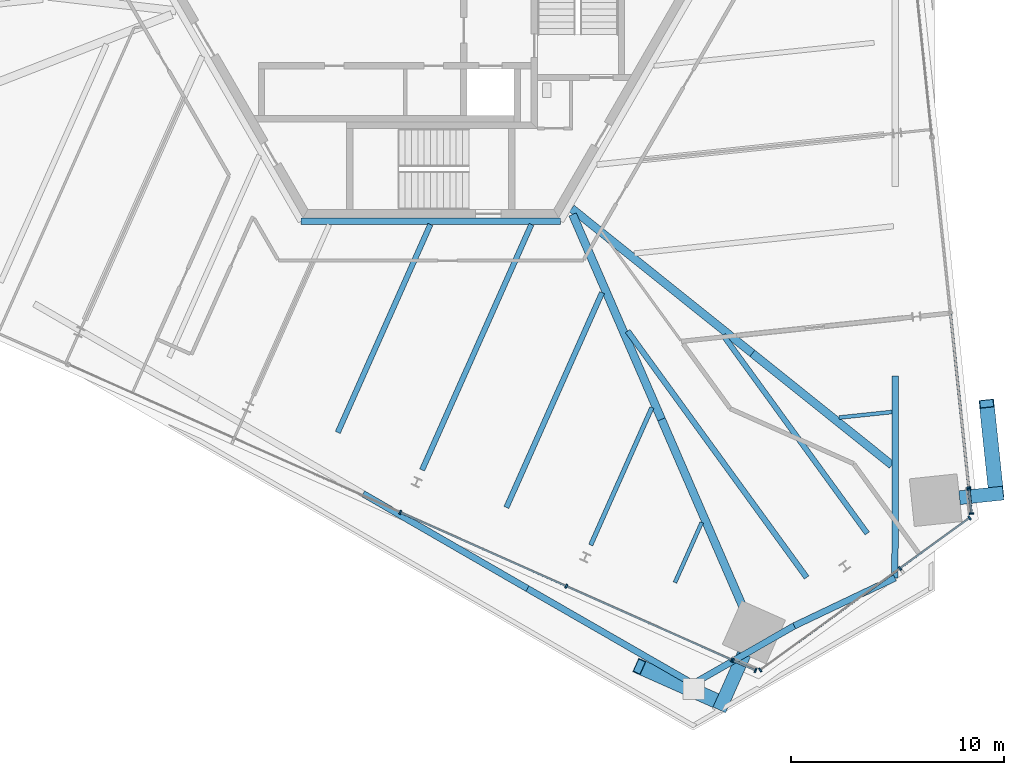
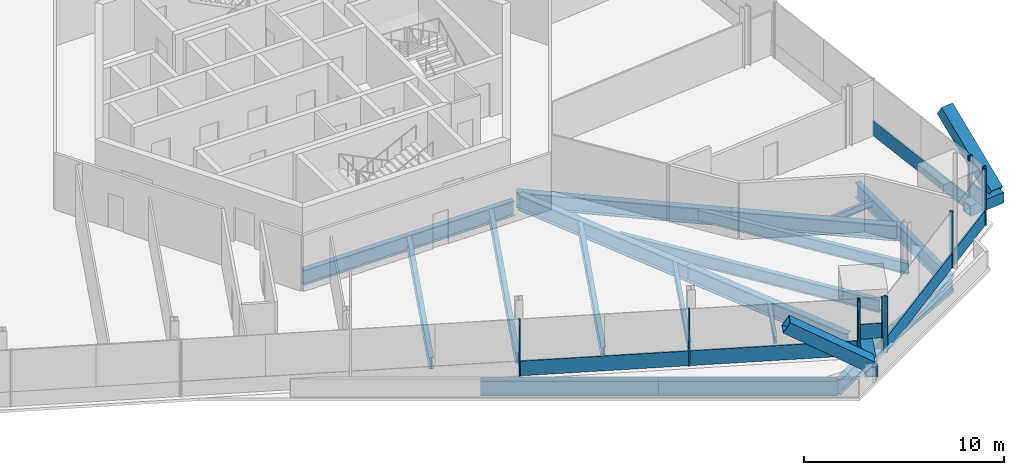
# One storey, part 4 of 24: 22 members, 18 beams, 5 elements without a shape of their own.
"""IFC4 building model written with IfcOpenShell, lengths in metres."""

from ifc_helpers import new_model, si_unit, direction, frame, origin, origin_2d, place, context, subcontext, project, spatial, rectangle, hollow_rectangle, i_section, extrude, source, transform, mapped, material, material_profile, profile_set, type_object, element, aggregate, save


model = new_model("IFC4")

# Units and contexts
model_context = context("Model", 3, precision=1e-05, world=origin(), true_north=direction((0.0, 1.0)))
body_context = subcontext(model_context, "Body", "Model", "MODEL_VIEW")
ifc_project = project(units=[si_unit("LENGTHUNIT", "METRE"), si_unit("AREAUNIT", "SQUARE_METRE"), si_unit("VOLUMEUNIT", "CUBIC_METRE"), si_unit("PLANEANGLEUNIT", "RADIAN"), si_unit("MASSUNIT", "GRAM", prefix="KILO")], contexts=[model_context])

# Site, building, storey
site_placement = place(None, origin())
site = spatial("IfcSite", under=ifc_project, at=site_placement, CompositionType="ELEMENT")
building_placement = place(site_placement, origin())
building = spatial("IfcBuilding", under=site, at=building_placement, Name="Triune Harvest Tower", CompositionType="ELEMENT")
storey_placement = place(building_placement, frame((0.0, 0.0, 58.5)))
storey = spatial("IfcBuildingStorey", under=building, at=storey_placement, Name="L13", CompositionType="ELEMENT", Elevation=58.5)

# Member
ifc_material_1 = material(Name="Steel ASTM A572 Gr 50", Category="steel")
ifc_material_profile_1 = material_profile(ifc_material_1, hollow_rectangle(XDim=0.699951171875, YDim=0.699951171875, WallThickness=0.0400390625, at=origin_2d()), Name="Box 700x700x40")
ifc_profile_set_1 = profile_set([ifc_material_profile_1], Name="Steel ASTM A572 Gr 50")
member_type_1 = type_object("IfcMemberType", Name="BR-1 Brace Box 700x700x40", PredefinedType="BRACE", material=ifc_profile_set_1)
member_1_placement = place(storey_placement, frame((13.67431640625, -33.177978515625, 0.889892578125), z_axis=(-0.770569193482, 0.343066598542, 0.53714842178), x_axis=(-0.406723869192, -0.913551144835, 0.0)))
element("IfcMember", 1, at=member_1_placement, inside=storey, type_object=member_type_1, Name="brace/B2-F5/d2/1", PredefinedType="BRACE", context=body_context, shape_type="SweptSolid", body=[
    extrude(hollow_rectangle(XDim=0.699951171875, YDim=0.699951171875, WallThickness=0.0400390625, at=origin_2d()), origin(), (0.0, 0.0, 1.0), 5.045654296875),
])

# Beams
ifc_material_2 = material(Name="Steel ASTM A992 Gr 50", Category="steel")
ifc_material_profile_2 = material_profile(ifc_material_2, i_section(OverallWidth=0.383544921875, OverallDepth=0.9423828125, WebThickness=0.022216796875, FlangeThickness=0.039794921875, at=origin_2d()), Name="W36x232")
ifc_profile_set_2 = profile_set([ifc_material_profile_2], Name="Steel ASTM A992 Gr 50")
beam_type_1 = type_object("IfcBeamType", Name="HG-1 Hip girder W36x232", PredefinedType="BEAM", material=ifc_profile_set_2)
beam_1_placement = place(storey_placement, frame((21.6396484375, -21.993896484375, -0.631103515625), z_axis=(-0.780346311422, 0.625347610734, 0.0), x_axis=(-0.625347610734, -0.780346311422, 0.0)))
element("IfcBeam", 2, at=beam_1_placement, inside=storey, type_object=beam_type_1, Name="beam/L13/HG1", PredefinedType="BEAM", context=body_context, shape_type="SweptSolid", body=[
    extrude(i_section(OverallWidth=0.383544921875, OverallDepth=0.9423828125, WebThickness=0.022216796875, FlangeThickness=0.039794921875, at=origin_2d()), origin(), (0.0, 0.0, 1.0), 8.39208984375),
])
beam_2_placement = place(storey_placement, frame((14.79296875, -28.99072265625, -0.631103515625), z_axis=(-0.398067843928, 0.917355978686, 0.0), x_axis=(-0.917355978686, -0.398067843928, 0.0)))
element("IfcBeam", 3, at=beam_2_placement, inside=storey, type_object=beam_type_1, Name="beam/L13/HG7", PredefinedType="BEAM", context=body_context, shape_type="SweptSolid", body=[
    extrude(i_section(OverallWidth=0.383544921875, OverallDepth=0.9423828125, WebThickness=0.022216796875, FlangeThickness=0.039794921875, at=origin_2d()), origin(), (0.0, 0.0, 1.0), 9.969482421875),
])
ifc_material_3 = material(Name="Steel ASTM A992 Gr 50", Category="steel")
ifc_material_profile_3 = material_profile(ifc_material_3, i_section(OverallWidth=0.253662109375, OverallDepth=0.683349609375, WebThickness=0.012451171875, FlangeThickness=0.01904296875, at=origin_2d()), Name="W27x94")
ifc_profile_set_3 = profile_set([ifc_material_profile_3], Name="Steel ASTM A992 Gr 50")
beam_type_2 = type_object("IfcBeamType", Name="JT-4 Floor joist W27x94", PredefinedType="JOIST", material=ifc_profile_set_3)
beam_3_placement = place(storey_placement, frame((-4.3681640625, -20.459716796875, -0.501708984375), z_axis=(0.406740367274, 0.913543799514, 0.0), x_axis=(-0.913543799514, 0.406740367274, 0.0)))
element("IfcBeam", 4, at=beam_3_placement, inside=storey, type_object=beam_type_2, Name="beam/L13/JT33", PredefinedType="JOIST", context=body_context, shape_type="SweptSolid", body=[
    extrude(i_section(OverallWidth=0.253662109375, OverallDepth=0.683349609375, WebThickness=0.012451171875, FlangeThickness=0.01904296875, at=origin_2d()), origin(), (0.0, 0.0, 1.0), 10.6865234375),
])
beam_4_placement = place(storey_placement, frame((20.481689453125, -25.200439453125, -0.501708984375), z_axis=(-0.587783024273, 0.809018613121, 0.0), x_axis=(-0.809018613121, -0.587783024273, 0.0)))
element("IfcBeam", 5, at=beam_4_placement, inside=storey, type_object=beam_type_2, Name="beam/L13/JT39", PredefinedType="JOIST", context=body_context, shape_type="SweptSolid", body=[
    extrude(i_section(OverallWidth=0.253662109375, OverallDepth=0.683349609375, WebThickness=0.012451171875, FlangeThickness=0.01904296875, at=origin_2d()), origin(), (0.0, 0.0, 1.0), 11.50537109375),
])
ifc_material_4 = material(Name="Steel ASTM A992 Gr 50", Category="steel")
ifc_material_profile_4 = material_profile(ifc_material_4, i_section(OverallWidth=0.2666015625, OverallDepth=0.7568359375, WebThickness=0.013916015625, FlangeThickness=0.019287109375, at=origin_2d()), Name="W30x108")
ifc_profile_set_4 = profile_set([ifc_material_profile_4], Name="Steel ASTM A992 Gr 50")
beam_type_3 = type_object("IfcBeamType", Name="JT-5 Floor joist W30x108", PredefinedType="JOIST", material=ifc_profile_set_4)
beam_5_placement = place(storey_placement, frame((17.6376953125, -27.266845703125, -0.53857421875), z_axis=(-0.587791810092, 0.809012229814, 0.0), x_axis=(-0.809012229814, -0.587791810092, 0.0)))
element("IfcBeam", 6, at=beam_5_placement, inside=storey, type_object=beam_type_3, Name="beam/L13/JT38", PredefinedType="JOIST", context=body_context, shape_type="SweptSolid", body=[
    extrude(i_section(OverallWidth=0.2666015625, OverallDepth=0.7568359375, WebThickness=0.013916015625, FlangeThickness=0.019287109375, at=origin_2d()), origin(), (0.0, 0.0, 1.0), 14.2939453125),
])
ifc_material_5 = material(Name="Steel ASTM A992 Gr 50", Category="steel")
ifc_material_profile_5 = material_profile(ifc_material_5, i_section(OverallWidth=0.3046875, OverallDepth=0.914306640625, WebThickness=0.0166015625, FlangeThickness=0.02587890625, at=origin_2d()), Name="W36x160")
ifc_profile_set_5 = profile_set([ifc_material_profile_5], Name="Steel ASTM A992 Gr 50")
beam_type_4 = type_object("IfcBeamType", Name="SB-1 Spandrel beam W36x160", PredefinedType="SPANDREL", material=ifc_profile_set_5)
beam_6_placement = place(storey_placement, frame((21.782470703125, -27.2900390625, -0.6171875), z_axis=(0.001804632396, 0.99999837165, 0.0), x_axis=(-0.99999837165, 0.001804632396, 0.0)))
element("IfcBeam", 7, at=beam_6_placement, inside=storey, type_object=beam_type_4, Name="beam/L13/WB1", PredefinedType="SPANDREL", context=body_context, shape_type="SweptSolid", body=[
    extrude(i_section(OverallWidth=0.3046875, OverallDepth=0.914306640625, WebThickness=0.0166015625, FlangeThickness=0.02587890625, at=origin_2d()), origin(), (0.0, 0.0, 1.0), 9.469970703125),
])
beam_7_placement = place(storey_placement, frame((17.05419921875, -29.538818359375, -0.6171875), z_axis=(0.903066410803, 0.429500940254, 0.0), x_axis=(-0.429500940254, 0.903066410803, 0.0)))
element("IfcBeam", 8, at=beam_7_placement, inside=storey, type_object=beam_type_4, Name="beam/L13/WB21", PredefinedType="SPANDREL", context=body_context, shape_type="SweptSolid", body=[
    extrude(i_section(OverallWidth=0.3046875, OverallDepth=0.914306640625, WebThickness=0.0166015625, FlangeThickness=0.02587890625, at=origin_2d()), origin(), (0.0, 0.0, 1.0), 5.23583984375),
])

# Curtain wall, member
ifc_material_6 = material(Name="Aluminium bronze anodised", Category="aluminium")
curtain_wall_type_1 = type_object("IfcCurtainWallType", Name="CW-1 Tower stick curtain wall", PredefinedType="NOTDEFINED", material=ifc_material_6)
curtain_wall_1_placement = place(storey_placement, origin())
curtain_wall_1 = element("IfcCurtainWall", 9, at=curtain_wall_1_placement, inside=storey, type_object=curtain_wall_type_1, Name="CW-1 B2-F5 L13 run 1101")
ifc_material_7 = material(Name="Aluminium bronze anodised", Category="aluminium")
ifc_material_profile_6 = material_profile(ifc_material_7, rectangle(XDim=0.090087890625, YDim=0.89990234375, at=origin_2d()), Name="TR-1 transom 90 x 900")
ifc_profile_set_6 = profile_set([ifc_material_profile_6], Name="Aluminium bronze anodised")
member_type_2 = type_object("IfcMemberType", Name="TR-1 transom 90 x 900", PredefinedType="USERDEFINED", material=ifc_profile_set_6)
member_2_placement = place(storey_placement, frame((-1.401611328125, -24.2216796875, 0.449951171875), z_axis=(0.913538790725, -0.406751616887, 0.0), x_axis=(0.406751616887, 0.913538790725, 0.0)))
member_2 = element("IfcMember", 10, at=member_2_placement, type_object=member_type_2, Name="CW-1 transom B2-F5 1101.3", ObjectType="TRANSOM", PredefinedType="USERDEFINED", context=body_context, shape_type="SweptSolid", body=[
    extrude(rectangle(XDim=0.090087890625, YDim=0.89990234375, at=origin_2d()), origin(), (0.0, 0.0, 1.0), 8.458984375),
])

# Beams
ifc_material_8 = material(Name="Steel ASTM A992 Gr 50", Category="steel")
ifc_material_profile_7 = material_profile(ifc_material_8, i_section(OverallWidth=0.3046875, OverallDepth=0.914306640625, WebThickness=0.0166015625, FlangeThickness=0.02587890625, at=origin_2d()), Name="W36x160")
ifc_profile_set_7 = profile_set([ifc_material_profile_7], Name="Steel ASTM A992 Gr 50")
beam_type_5 = type_object("IfcBeamType", Name="CG-1 Core ring girder W36x160", PredefinedType="BEAM", material=ifc_profile_set_7)
shared_shape_1 = source(origin(), body_context, "Body", "SweptSolid", [
    extrude(i_section(OverallWidth=0.3046875, OverallDepth=0.914306640625, WebThickness=0.0166015625, FlangeThickness=0.02587890625, at=origin_2d()), origin(), (0.0, 0.0, 1.0), 12.17578125),
])
beam_8_placement = place(storey_placement, frame((-6.087890625, -10.544677734375, -0.6171875), z_axis=(1.0, 0.0, 0.0), x_axis=(0.0, 1.0, 0.0)))
element("IfcBeam", 11, at=beam_8_placement, inside=storey, type_object=beam_type_5, Name="beam/L13/CG5", PredefinedType="BEAM", context=body_context, shape_type="MappedRepresentation", body=[
    mapped(shared_shape_1, transform((0.0, 0.0, 0.0), scale=1.0)),
])
shared_shape_2 = source(origin(), body_context, "Body", "SweptSolid", [
    extrude(i_section(OverallWidth=0.3046875, OverallDepth=0.914306640625, WebThickness=0.0166015625, FlangeThickness=0.02587890625, at=origin_2d()), origin(), (0.0, 0.0, 1.0), 8.909912109375),
])
beam_9_placement = place(storey_placement, frame((-3.18359375, -23.333984375, -0.6171875), z_axis=(0.866034096015, -0.499984944314, 0.0), x_axis=(0.499984944314, 0.866034096015, 0.0)))
element("IfcBeam", 12, at=beam_9_placement, inside=storey, type_object=beam_type_4, Name="beam/L13/WB18", PredefinedType="SPANDREL", context=body_context, shape_type="MappedRepresentation", body=[
    mapped(shared_shape_2, transform((0.0, 0.0, 0.0), scale=1.0)),
])
shared_shape_3 = source(origin(), body_context, "Body", "SweptSolid", [
    extrude(i_section(OverallWidth=0.3046875, OverallDepth=0.914306640625, WebThickness=0.0166015625, FlangeThickness=0.02587890625, at=origin_2d()), origin(), (0.0, 0.0, 1.0), 5.469970703125),
])
beam_10_placement = place(storey_placement, frame((12.30908203125, -32.260009765625, -0.6171875), z_axis=(0.867478553685, 0.497474581157, 0.0), x_axis=(-0.497474581157, 0.867478553685, 0.0)))
element("IfcBeam", 13, at=beam_10_placement, inside=storey, type_object=beam_type_4, Name="beam/L13/WB20", PredefinedType="SPANDREL", context=body_context, shape_type="MappedRepresentation", body=[
    mapped(shared_shape_3, transform((0.0, 0.0, 0.0), scale=1.0)),
])
shared_shape_4 = source(origin(), body_context, "Body", "SweptSolid", [
    extrude(i_section(OverallWidth=0.3046875, OverallDepth=0.914306640625, WebThickness=0.0166015625, FlangeThickness=0.02587890625, at=origin_2d()), origin(), (0.0, 0.0, 1.0), 8.97021484375),
])
beam_11_placement = place(storey_placement, frame((4.53271484375, -27.788818359375, -0.6171875), z_axis=(0.866916887973, -0.498452715256, 0.0), x_axis=(0.498452715256, 0.866916887973, 0.0)))
element("IfcBeam", 14, at=beam_11_placement, inside=storey, type_object=beam_type_4, Name="beam/L13/WB19", PredefinedType="SPANDREL", context=body_context, shape_type="MappedRepresentation", body=[
    mapped(shared_shape_4, transform((0.0, 0.0, 0.0), scale=1.0)),
])
shared_shape_5 = source(origin(), body_context, "Body", "SweptSolid", [
    extrude(i_section(OverallWidth=0.383544921875, OverallDepth=0.9423828125, WebThickness=0.022216796875, FlangeThickness=0.039794921875, at=origin_2d()), origin(), (0.0, 0.0, 1.0), 10.8701171875),
])
beam_12_placement = place(storey_placement, frame((15.0908203125, -16.745849609375, -0.631103515625), z_axis=(-0.780344837212, 0.625349450337, 0.0), x_axis=(-0.625349450337, -0.780344837212, 0.0)))
element("IfcBeam", 15, at=beam_12_placement, inside=storey, type_object=beam_type_1, Name="beam/L13/HG2", PredefinedType="BEAM", context=body_context, shape_type="MappedRepresentation", body=[
    mapped(shared_shape_5, transform((0.0, 0.0, 0.0), scale=1.0)),
])
shared_shape_6 = source(origin(), body_context, "Body", "SweptSolid", [
    extrude(i_section(OverallWidth=0.383544921875, OverallDepth=0.9423828125, WebThickness=0.022216796875, FlangeThickness=0.039794921875, at=origin_2d()), origin(), (0.0, 0.0, 1.0), 10.48291015625),
])
beam_13_placement = place(storey_placement, frame((10.824462890625, -19.84521484375, -0.631103515625), z_axis=(-0.39806686292, 0.917356404374, 0.0), x_axis=(-0.917356404374, -0.39806686292, 0.0)))
element("IfcBeam", 16, at=beam_13_placement, inside=storey, type_object=beam_type_1, Name="beam/L13/HG8", PredefinedType="BEAM", context=body_context, shape_type="MappedRepresentation", body=[
    mapped(shared_shape_6, transform((0.0, 0.0, 0.0), scale=1.0)),
])
ifc_material_9 = material(Name="Steel ASTM A992 Gr 50", Category="steel")
ifc_material_profile_8 = material_profile(ifc_material_9, i_section(OverallWidth=0.180908203125, OverallDepth=0.41650390625, WebThickness=0.010986328125, FlangeThickness=0.01806640625, at=origin_2d()), Name="W16x57")
ifc_profile_set_8 = profile_set([ifc_material_profile_8], Name="Steel ASTM A992 Gr 50")
beam_type_6 = type_object("IfcBeamType", Name="JT-1 Floor joist W16x57", PredefinedType="JOIST", material=ifc_profile_set_8)
shared_shape_7 = source(origin(), body_context, "Body", "SweptSolid", [
    extrude(i_section(OverallWidth=0.180908203125, OverallDepth=0.41650390625, WebThickness=0.010986328125, FlangeThickness=0.01806640625, at=origin_2d()), origin(), (0.0, 0.0, 1.0), 2.49755859375),
])
beam_14_placement = place(storey_placement, frame((21.64404296875, -19.5, -0.368408203125), z_axis=(-0.994525253242, -0.104496510293, 0.0), x_axis=(0.104496510293, -0.994525253242, 0.0)))
element("IfcBeam", 17, at=beam_14_placement, inside=storey, type_object=beam_type_6, Name="beam/L13/JT1", PredefinedType="JOIST", context=body_context, shape_type="MappedRepresentation", body=[
    mapped(shared_shape_7, transform((0.0, 0.0, 0.0), scale=1.0)),
])
shared_shape_8 = source(origin(), body_context, "Body", "SweptSolid", [
    extrude(i_section(OverallWidth=0.253662109375, OverallDepth=0.683349609375, WebThickness=0.012451171875, FlangeThickness=0.01904296875, at=origin_2d()), origin(), (0.0, 0.0, 1.0), 12.61474609375),
])
beam_15_placement = place(storey_placement, frame((-0.41162109375, -22.22119140625, -0.501708984375), z_axis=(0.40675070093, 0.913539198553, 0.0), x_axis=(-0.913539198553, 0.40675070093, 0.0)))
element("IfcBeam", 18, at=beam_15_placement, inside=storey, type_object=beam_type_2, Name="beam/L13/JT34", PredefinedType="JOIST", context=body_context, shape_type="MappedRepresentation", body=[
    mapped(shared_shape_8, transform((0.0, 0.0, 0.0), scale=1.0)),
])
shared_shape_9 = source(origin(), body_context, "Body", "SweptSolid", [
    extrude(i_section(OverallWidth=0.180908203125, OverallDepth=0.41650390625, WebThickness=0.010986328125, FlangeThickness=0.01806640625, at=origin_2d()), origin(), (0.0, 0.0, 1.0), 3.08935546875),
])
beam_16_placement = place(storey_placement, frame((11.45849609375, -27.506103515625, -0.368408203125), z_axis=(0.406746957859, 0.913540865135, 0.0), x_axis=(-0.913540865135, 0.406746957859, 0.0)))
element("IfcBeam", 19, at=beam_16_placement, inside=storey, type_object=beam_type_6, Name="beam/L13/JT37", PredefinedType="JOIST", context=body_context, shape_type="MappedRepresentation", body=[
    mapped(shared_shape_9, transform((0.0, 0.0, 0.0), scale=1.0)),
])
shared_shape_10 = source(origin(), body_context, "Body", "SweptSolid", [
    extrude(i_section(OverallWidth=0.253662109375, OverallDepth=0.683349609375, WebThickness=0.012451171875, FlangeThickness=0.01904296875, at=origin_2d()), origin(), (0.0, 0.0, 1.0), 11.03857421875),
])
beam_17_placement = place(storey_placement, frame((3.545166015625, -23.98291015625, -0.501708984375), z_axis=(0.406733489557, 0.913546861673, 0.0), x_axis=(-0.913546861673, 0.406733489557, 0.0)))
element("IfcBeam", 20, at=beam_17_placement, inside=storey, type_object=beam_type_2, Name="beam/L13/JT35", PredefinedType="JOIST", context=body_context, shape_type="MappedRepresentation", body=[
    mapped(shared_shape_10, transform((0.0, 0.0, 0.0), scale=1.0)),
])
ifc_material_10 = material(Name="Steel ASTM A992 Gr 50", Category="steel")
ifc_material_profile_9 = material_profile(ifc_material_10, i_section(OverallWidth=0.2099609375, OverallDepth=0.535888671875, WebThickness=0.010986328125, FlangeThickness=0.017333984375, at=origin_2d()), Name="W21x68")
ifc_profile_set_9 = profile_set([ifc_material_profile_9], Name="Steel ASTM A992 Gr 50")
beam_type_7 = type_object("IfcBeamType", Name="JT-2 Floor joist W21x68", PredefinedType="JOIST", material=ifc_profile_set_9)
shared_shape_11 = source(origin(), body_context, "Body", "SweptSolid", [
    extrude(i_section(OverallWidth=0.2099609375, OverallDepth=0.535888671875, WebThickness=0.010986328125, FlangeThickness=0.017333984375, at=origin_2d()), origin(), (0.0, 0.0, 1.0), 7.06396484375),
])
beam_18_placement = place(storey_placement, frame((7.501708984375, -25.744384765625, -0.427978515625), z_axis=(0.406757277708, 0.913536270233, 0.0), x_axis=(-0.913536270233, 0.406757277708, 0.0)))
element("IfcBeam", 21, at=beam_18_placement, inside=storey, type_object=beam_type_7, Name="beam/L13/JT36", PredefinedType="JOIST", context=body_context, shape_type="MappedRepresentation", body=[
    mapped(shared_shape_11, transform((0.0, 0.0, 0.0), scale=1.0)),
])

# Members
ifc_material_11 = material(Name="Steel ASTM A572 Gr 50", Category="steel")
ifc_material_profile_10 = material_profile(ifc_material_11, hollow_rectangle(XDim=0.64990234375, YDim=0.64990234375, WallThickness=0.070068359375, at=origin_2d()), Name="Box 650x650x70")
ifc_profile_set_10 = profile_set([ifc_material_profile_10], Name="Steel ASTM A572 Gr 50")
member_type_3 = type_object("IfcMemberType", Name="BS-1 Brace stub Box 650x650x70", PredefinedType="STRUT", material=ifc_profile_set_10)
shared_shape_12 = source(origin(), body_context, "Body", "SweptSolid", [
    extrude(hollow_rectangle(XDim=0.64990234375, YDim=0.64990234375, WallThickness=0.070068359375, at=origin_2d()), origin(), (0.0, 0.0, 1.0), 2.060302734375),
])
member_3_placement = place(storey_placement, frame((24.81201171875, -23.52197265625, 0.60009765625), z_axis=(0.99452361789, 0.104512073273, 0.0), x_axis=(-0.104512073273, 0.99452361789, 0.0)))
element("IfcMember", 22, at=member_3_placement, inside=storey, type_object=member_type_3, Name="brace/B2-F1/stub1", PredefinedType="STRUT", context=body_context, shape_type="MappedRepresentation", body=[
    mapped(shared_shape_12, transform((0.0, 0.0, 0.0), scale=1.0)),
])
shared_shape_13 = source(origin(), body_context, "Body", "SweptSolid", [
    extrude(hollow_rectangle(XDim=0.699951171875, YDim=0.699951171875, WallThickness=0.0400390625, at=origin_2d()), origin(), (0.0, 0.0, 1.0), 5.04541015625),
])
member_4_placement = place(storey_placement, frame((26.532958984375, -23.341064453125, 0.889892578125), z_axis=(-0.088163595026, 0.83886063851, 0.537159203282), x_axis=(-0.994522414331, -0.104523525549, 0.0)))
element("IfcMember", 23, at=member_4_placement, inside=storey, type_object=member_type_1, Name="brace/B2-F1/d1/1", PredefinedType="BRACE", context=body_context, shape_type="MappedRepresentation", body=[
    mapped(shared_shape_13, transform((0.0, 0.0, 0.0), scale=1.0)),
])
shared_shape_14 = source(origin(), body_context, "Body", "SweptSolid", [
    extrude(hollow_rectangle(XDim=0.64990234375, YDim=0.64990234375, WallThickness=0.070068359375, at=origin_2d()), origin(), (0.0, 0.0, 1.0), 2.8603515625),
])
member_5_placement = place(storey_placement, frame((14.703369140625, -30.866455078125, 0.60009765625), z_axis=(-0.406787742816, -0.91352270486, 0.0), x_axis=(0.91352270486, -0.406787742816, 0.0)))
element("IfcMember", 24, at=member_5_placement, inside=storey, type_object=member_type_3, Name="brace/B2-F5/stub3", PredefinedType="STRUT", context=body_context, shape_type="MappedRepresentation", body=[
    mapped(shared_shape_14, transform((0.0, 0.0, 0.0), scale=1.0)),
])

# Curtain wall, members
curtain_wall_2_placement = place(storey_placement, origin())
curtain_wall_2 = element("IfcCurtainWall", 25, at=curtain_wall_2_placement, inside=storey, type_object=curtain_wall_type_1, Name="CW-1 B2-F1 L13 run 1")
ifc_material_12 = material(Name="Aluminium bronze anodised", Category="aluminium")
ifc_material_profile_11 = material_profile(ifc_material_12, rectangle(XDim=0.199951171875, YDim=0.074951171875, at=origin_2d()), Name="MU-1 mullion 75 x 200")
ifc_profile_set_11 = profile_set([ifc_material_profile_11], Name="Aluminium bronze anodised")
member_type_4 = type_object("IfcMemberType", Name="MU-1 mullion 75 x 200", PredefinedType="MULLION", material=ifc_profile_set_11)
shared_shape_15 = source(origin(), body_context, "Body", "SweptSolid", [
    extrude(rectangle(XDim=0.199951171875, YDim=0.074951171875, at=origin_2d()), origin(), (0.0, 0.0, 1.0), 2.454833984375),
])
member_6_placement = place(storey_placement, frame((25.373291015625, -24.2666015625, 0.985107421875), z_axis=(0.0, 0.0, 1.0), x_axis=(-0.994522929633, -0.104518622429, 0.0)))
member_6 = element("IfcMember", 26, at=member_6_placement, type_object=member_type_4, Name="CW-1 mullion B2-F1 1.1", PredefinedType="MULLION", context=body_context, shape_type="MappedRepresentation", body=[
    mapped(shared_shape_15, transform((0.0, 0.0, 0.0), scale=1.0)),
])
member_7_placement = place(storey_placement, frame((25.25341796875, -23.126220703125, 0.985107421875), z_axis=(0.0, 0.0, 1.0), x_axis=(-0.994522929633, -0.104518622429, 0.0)))
member_7 = element("IfcMember", 27, at=member_7_placement, type_object=member_type_4, Name="CW-1 mullion B2-F1 1.2", PredefinedType="MULLION", context=body_context, shape_type="MappedRepresentation", body=[
    mapped(shared_shape_15, transform((0.0, 0.0, 0.0), scale=1.0)),
])

curtain_wall_3_placement = place(storey_placement, origin())
curtain_wall_3 = element("IfcCurtainWall", 28, at=curtain_wall_3_placement, inside=storey, type_object=curtain_wall_type_1, Name="CW-1 B2-F5 L13 run 201")
member_8_placement = place(storey_placement, frame((14.1904296875, -31.163818359375, 0.985107421875), z_axis=(0.0, 0.0, 1.0), x_axis=(0.406730645494, 0.913548127914, 0.0)))
member_8 = element("IfcMember", 29, at=member_8_placement, type_object=member_type_4, Name="CW-1 mullion B2-F5 201.1", PredefinedType="MULLION", context=body_context, shape_type="MappedRepresentation", body=[
    mapped(shared_shape_15, transform((0.0, 0.0, 0.0), scale=1.0)),
])
member_9_placement = place(storey_placement, frame((15.23828125, -31.63037109375, 0.985107421875), z_axis=(0.0, 0.0, 1.0), x_axis=(0.406730645494, 0.913548127914, 0.0)))
member_9 = element("IfcMember", 30, at=member_9_placement, type_object=member_type_4, Name="CW-1 mullion B2-F5 201.2", PredefinedType="MULLION", context=body_context, shape_type="MappedRepresentation", body=[
    mapped(shared_shape_15, transform((0.0, 0.0, 0.0), scale=1.0)),
])

# Member
shared_shape_16 = source(origin(), body_context, "Body", "SweptSolid", [
    extrude(rectangle(XDim=0.090087890625, YDim=0.89990234375, at=origin_2d()), origin(), (0.0, 0.0, 1.0), 1.07177734375),
])
member_10_placement = place(storey_placement, frame((25.369384765625, -24.2294921875, 1.43505859375), z_axis=(-0.104554352009, 0.994519174011, 0.0), x_axis=(-0.994519174011, -0.104554352009, 0.0)))
member_10 = element("IfcMember", 31, at=member_10_placement, type_object=member_type_2, Name="CW-1 transom B2-F1 1.1", ObjectType="TRANSOM", PredefinedType="USERDEFINED", context=body_context, shape_type="MappedRepresentation", body=[
    mapped(shared_shape_16, transform((0.0, 0.0, 0.0), scale=1.0)),
])

aggregate(curtain_wall_2, [member_6, member_7, member_10])

# Curtain wall, member
ifc_material_13 = material(Name="Aluminium bronze anodised", Category="aluminium")
curtain_wall_type_2 = type_object("IfcCurtainWallType", Name="CW-7 Tower stick curtain wall with insulated spandrel infill", PredefinedType="NOTDEFINED", material=ifc_material_13)
curtain_wall_4_placement = place(storey_placement, origin())
curtain_wall_4 = element("IfcCurtainWall", 32, at=curtain_wall_4_placement, inside=storey, type_object=curtain_wall_type_2, Name="CW-7 B2-F1 L13 run 101")
shared_shape_17 = source(origin(), body_context, "Body", "SweptSolid", [
    extrude(rectangle(XDim=0.199951171875, YDim=0.074951171875, at=origin_2d()), origin(), (0.0, 0.0, 1.0), 3.43994140625),
])
member_11_placement = place(storey_placement, frame((25.24560546875, -23.051513671875, 0.0), z_axis=(0.0, 0.0, 1.0), x_axis=(-0.994521865689, -0.104528745642, 0.0)))
member_11 = element("IfcMember", 33, at=member_11_placement, type_object=member_type_4, Name="CW-7 mullion B2-F1 101.1", PredefinedType="MULLION", context=body_context, shape_type="MappedRepresentation", body=[
    mapped(shared_shape_17, transform((0.0, 0.0, 0.0), scale=1.0)),
])

# Member
member_12_placement = place(storey_placement, frame((-1.43603515625, -24.20654296875, 0.0), z_axis=(0.0, 0.0, 1.0), x_axis=(0.406737990407, 0.913544857771, 0.0)))
member_12 = element("IfcMember", 34, at=member_12_placement, type_object=member_type_4, Name="CW-1 mullion B2-F5 1101.5", PredefinedType="MULLION", context=body_context, shape_type="MappedRepresentation", body=[
    mapped(shared_shape_17, transform((0.0, 0.0, 0.0), scale=1.0)),
])

member_13_placement = place(storey_placement, frame((6.360107421875, -27.677490234375, 0.0), z_axis=(0.0, 0.0, 1.0), x_axis=(0.406737990407, 0.913544857771, 0.0)))
member_13 = element("IfcMember", 35, at=member_13_placement, type_object=member_type_4, Name="CW-1 mullion B2-F5 1101.7", PredefinedType="MULLION", context=body_context, shape_type="MappedRepresentation", body=[
    mapped(shared_shape_17, transform((0.0, 0.0, 0.0), scale=1.0)),
])

member_14_placement = place(storey_placement, frame((14.121826171875, -31.13330078125, 0.0), z_axis=(0.0, 0.0, 1.0), x_axis=(0.406737990407, 0.913544857771, 0.0)))
member_14 = element("IfcMember", 36, at=member_14_placement, type_object=member_type_4, Name="CW-1 mullion B2-F5 1101.9", PredefinedType="MULLION", context=body_context, shape_type="MappedRepresentation", body=[
    mapped(shared_shape_17, transform((0.0, 0.0, 0.0), scale=1.0)),
])

# Curtain wall, members
curtain_wall_5_placement = place(storey_placement, origin())
curtain_wall_5 = element("IfcCurtainWall", 37, at=curtain_wall_5_placement, inside=storey, type_object=curtain_wall_type_1, Name="CW-1 B2-F6 L13 run 1")
member_15_placement = place(storey_placement, frame((15.457763671875, -31.607177734375, 0.0), z_axis=(0.0, 0.0, 1.0), x_axis=(-0.58779042564, 0.809013235692, 0.0)))
member_15 = element("IfcMember", 38, at=member_15_placement, type_object=member_type_4, Name="CW-1 mullion B2-F6 1.1", PredefinedType="MULLION", context=body_context, shape_type="MappedRepresentation", body=[
    mapped(shared_shape_17, transform((0.0, 0.0, 0.0), scale=1.0)),
])
member_16_placement = place(storey_placement, frame((22.018310546875, -26.8408203125, 0.0), z_axis=(0.0, 0.0, 1.0), x_axis=(-0.58779042564, 0.809013235692, 0.0)))
member_16 = element("IfcMember", 39, at=member_16_placement, type_object=member_type_4, Name="CW-1 mullion B2-F6 1.3", PredefinedType="MULLION", context=body_context, shape_type="MappedRepresentation", body=[
    mapped(shared_shape_17, transform((0.0, 0.0, 0.0), scale=1.0)),
])
member_17_placement = place(storey_placement, frame((25.283447265625, -24.468505859375, 0.0), z_axis=(0.0, 0.0, 1.0), x_axis=(-0.58779042564, 0.809013235692, 0.0)))
member_17 = element("IfcMember", 40, at=member_17_placement, type_object=member_type_4, Name="CW-1 mullion B2-F6 1.4", PredefinedType="MULLION", context=body_context, shape_type="MappedRepresentation", body=[
    mapped(shared_shape_17, transform((0.0, 0.0, 0.0), scale=1.0)),
])

# Member
shared_shape_18 = source(origin(), body_context, "Body", "SweptSolid", [
    extrude(rectangle(XDim=0.090087890625, YDim=0.89990234375, at=origin_2d()), origin(), (0.0, 0.0, 1.0), 8.177490234375),
])
member_18_placement = place(storey_placement, frame((25.24169921875, -23.014404296875, 0.449951171875), z_axis=(-0.104521604212, 0.99452261626, 0.0), x_axis=(-0.99452261626, -0.104521604212, 0.0)))
member_18 = element("IfcMember", 41, at=member_18_placement, type_object=member_type_2, Name="CW-7 transom B2-F1 101.1", ObjectType="TRANSOM", PredefinedType="USERDEFINED", context=body_context, shape_type="MappedRepresentation", body=[
    mapped(shared_shape_18, transform((0.0, 0.0, 0.0), scale=1.0)),
])

aggregate(curtain_wall_4, [member_11, member_18])

shared_shape_19 = source(origin(), body_context, "Body", "SweptSolid", [
    extrude(rectangle(XDim=0.090087890625, YDim=0.89990234375, at=origin_2d()), origin(), (0.0, 0.0, 1.0), 8.0341796875),
])
member_19_placement = place(storey_placement, frame((15.48828125, -31.585205078125, 0.449951171875), z_axis=(0.809013262196, 0.587790389162, 0.0), x_axis=(-0.587790389162, 0.809013262196, 0.0)))
member_19 = element("IfcMember", 42, at=member_19_placement, type_object=member_type_2, Name="CW-1 transom B2-F6 1.1", ObjectType="TRANSOM", PredefinedType="USERDEFINED", context=body_context, shape_type="MappedRepresentation", body=[
    mapped(shared_shape_19, transform((0.0, 0.0, 0.0), scale=1.0)),
])

shared_shape_20 = source(origin(), body_context, "Body", "SweptSolid", [
    extrude(rectangle(XDim=0.090087890625, YDim=0.89990234375, at=origin_2d()), origin(), (0.0, 0.0, 1.0), 1.072021484375),
])
member_20_placement = place(storey_placement, frame((14.224609375, -31.17919921875, 1.43505859375), z_axis=(0.913651832411, -0.406497637302, 0.0), x_axis=(0.406497637302, 0.913651832411, 0.0)))
member_20 = element("IfcMember", 43, at=member_20_placement, type_object=member_type_2, Name="CW-1 transom B2-F5 201.1", ObjectType="TRANSOM", PredefinedType="USERDEFINED", context=body_context, shape_type="MappedRepresentation", body=[
    mapped(shared_shape_20, transform((0.0, 0.0, 0.0), scale=1.0)),
])

aggregate(curtain_wall_3, [member_8, member_9, member_20])

shared_shape_21 = source(origin(), body_context, "Body", "SweptSolid", [
    extrude(rectangle(XDim=0.090087890625, YDim=0.89990234375, at=origin_2d()), origin(), (0.0, 0.0, 1.0), 3.9609375),
])
member_21_placement = place(storey_placement, frame((22.048583984375, -26.818603515625, 0.449951171875), z_axis=(0.809034498415, 0.587761159294, 0.0), x_axis=(-0.587761159294, 0.809034498415, 0.0)))
member_21 = element("IfcMember", 44, at=member_21_placement, type_object=member_type_2, Name="CW-1 transom B2-F6 1.2", ObjectType="TRANSOM", PredefinedType="USERDEFINED", context=body_context, shape_type="MappedRepresentation", body=[
    mapped(shared_shape_21, transform((0.0, 0.0, 0.0), scale=1.0)),
])

aggregate(curtain_wall_5, [member_15, member_16, member_17, member_19, member_21])

shared_shape_22 = source(origin(), body_context, "Body", "SweptSolid", [
    extrude(rectangle(XDim=0.090087890625, YDim=0.89990234375, at=origin_2d()), origin(), (0.0, 0.0, 1.0), 8.42138671875),
])
member_22_placement = place(storey_placement, frame((6.394287109375, -27.69287109375, 0.449951171875), z_axis=(0.913545956726, -0.406735522114, 0.0), x_axis=(0.406735522114, 0.913545956726, 0.0)))
member_22 = element("IfcMember", 45, at=member_22_placement, type_object=member_type_2, Name="CW-1 transom B2-F5 1101.4", ObjectType="TRANSOM", PredefinedType="USERDEFINED", context=body_context, shape_type="MappedRepresentation", body=[
    mapped(shared_shape_22, transform((0.0, 0.0, 0.0), scale=1.0)),
])

aggregate(curtain_wall_1, [member_12, member_13, member_14, member_2, member_22])

save(model, "model.ifc")
